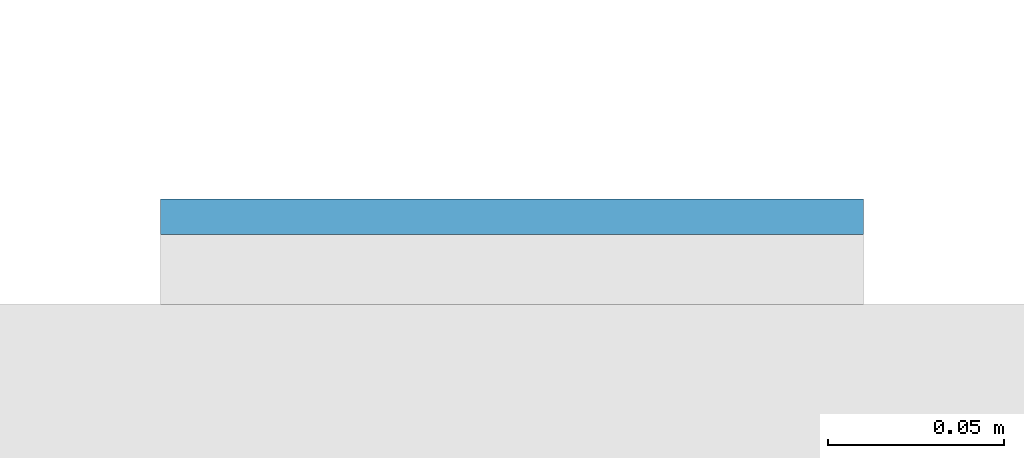
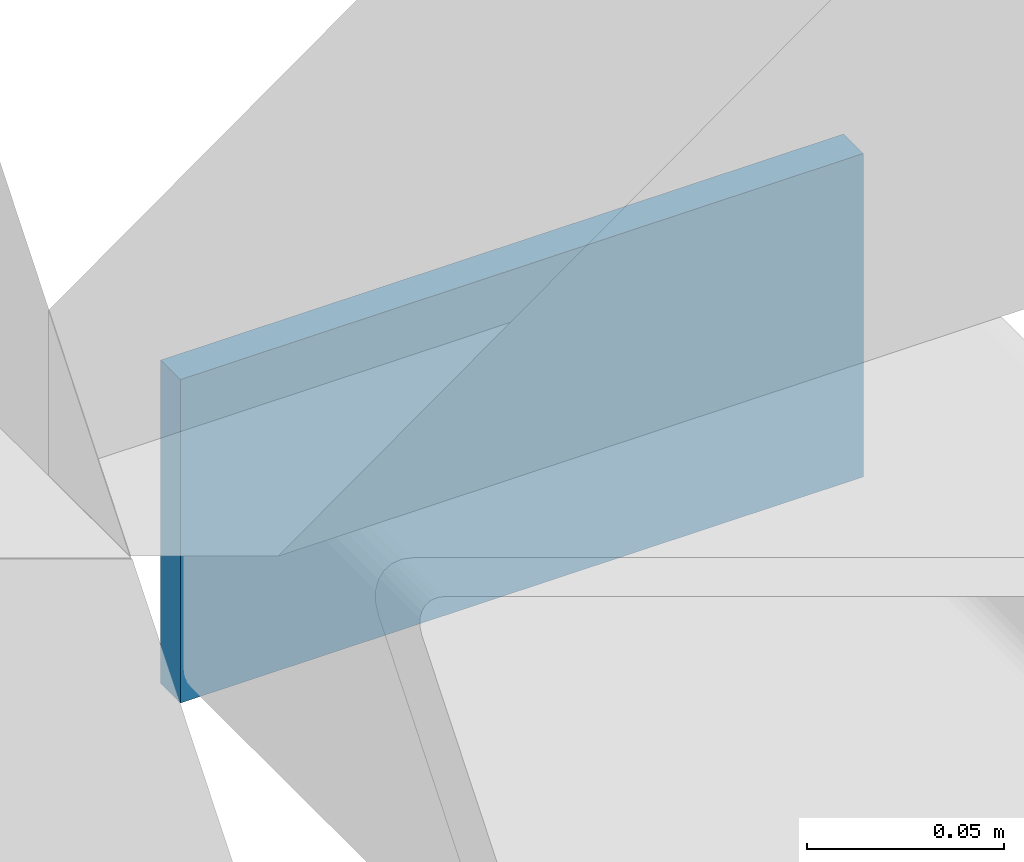
# One storey, part 6 of 11: 1 plate.
"""IFC4 building model written with IfcOpenShell, lengths in metres."""

from ifc_helpers import new_model, si_unit, direction, frame, origin, origin_2d, place, context, subcontext, project, spatial, rectangle, extrude, material, layer, layer_set, type_object, element, save


model = new_model("IFC4")

# Units and contexts
model_context = context("Model", 3, precision=1e-05, world=origin(), true_north=direction((0.0, 1.0)))
body_context = subcontext(model_context, "Body", "Model", "MODEL_VIEW")
ifc_project = project(units=[si_unit("LENGTHUNIT", "METRE"), si_unit("AREAUNIT", "SQUARE_METRE"), si_unit("VOLUMEUNIT", "CUBIC_METRE"), si_unit("PLANEANGLEUNIT", "RADIAN"), si_unit("MASSUNIT", "GRAM", prefix="KILO")], contexts=[model_context])

# Site, building, storey
site_placement = place(None, origin())
site = spatial("IfcSite", under=ifc_project, at=site_placement, CompositionType="ELEMENT")
building_placement = place(site_placement, origin())
building = spatial("IfcBuilding", under=site, at=building_placement, Name="Cleftline Residences", CompositionType="ELEMENT")
storey_placement = place(building_placement, frame((0.0, 0.0, 287.10009765625)))
storey = spatial("IfcBuildingStorey", under=building, at=storey_placement, Name="L75", CompositionType="ELEMENT", Elevation=287.10009765625)

# Plate
ifc_material = material(Name="Steel S355, hot-dip galvanised", Category="steel")
ifc_layer = layer(ifc_material, 0.010009765625)
ifc_layer_set = layer_set([ifc_layer], Name="BAGUETTE CARRIER END PLATE 200X100X10")
plate_type = type_object("IfcPlateType", Name="BAGUETTE CARRIER END PLATE 200X100X10", PredefinedType="USERDEFINED", material=ifc_layer_set)
plate_placement = place(storey_placement, frame((66.85009765625, 44.304931640625, -0.10009765625), z_axis=(0.0, 0.0, 1.0), x_axis=(1.0, 0.0, 0.0)))
element("IfcPlate", 1, at=plate_placement, inside=storey, type_object=plate_type, Name="Baguette carrier end plate", ObjectType="BAGUETTE CARRIER END PLATE", PredefinedType="USERDEFINED", context=body_context, shape_type="SweptSolid", body=[
    extrude(rectangle(XDim=0.199951171875, YDim=0.010009765625, at=origin_2d()), origin(), (0.0, 0.0, 1.0), 0.10009765625),
])

save(model, "model.ifc")
